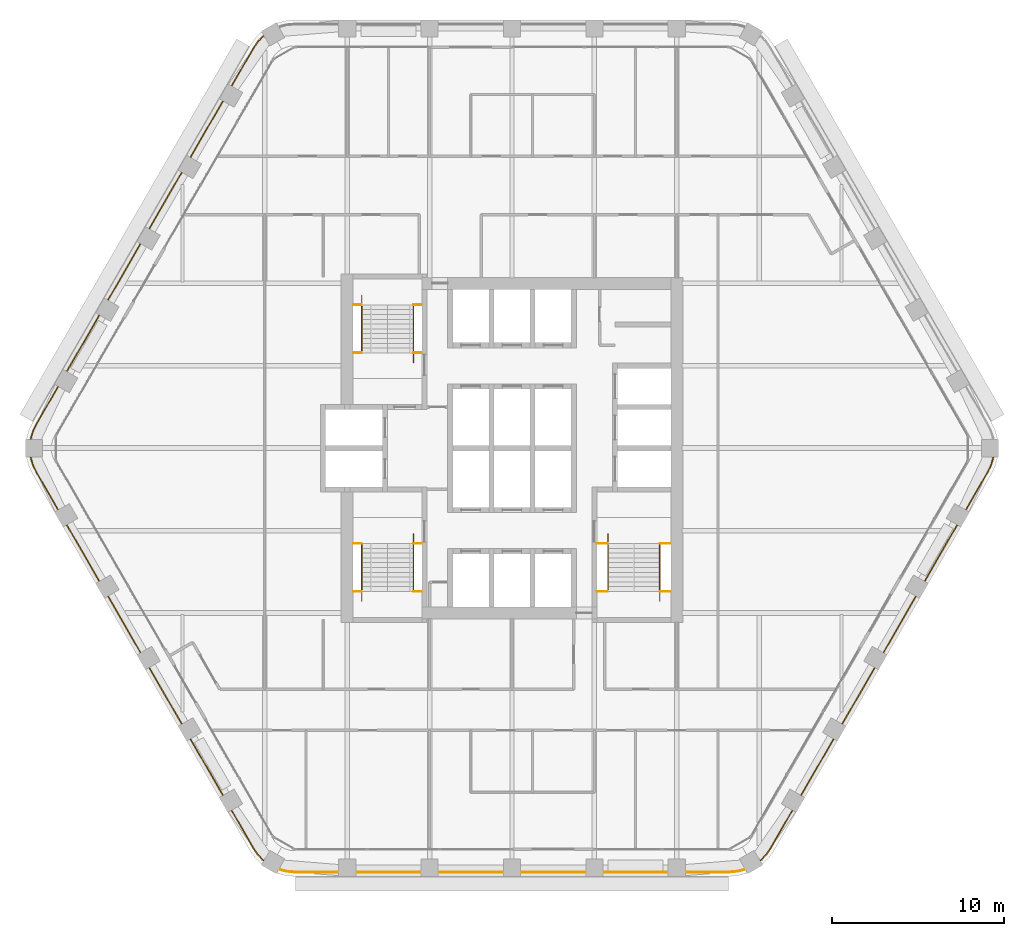
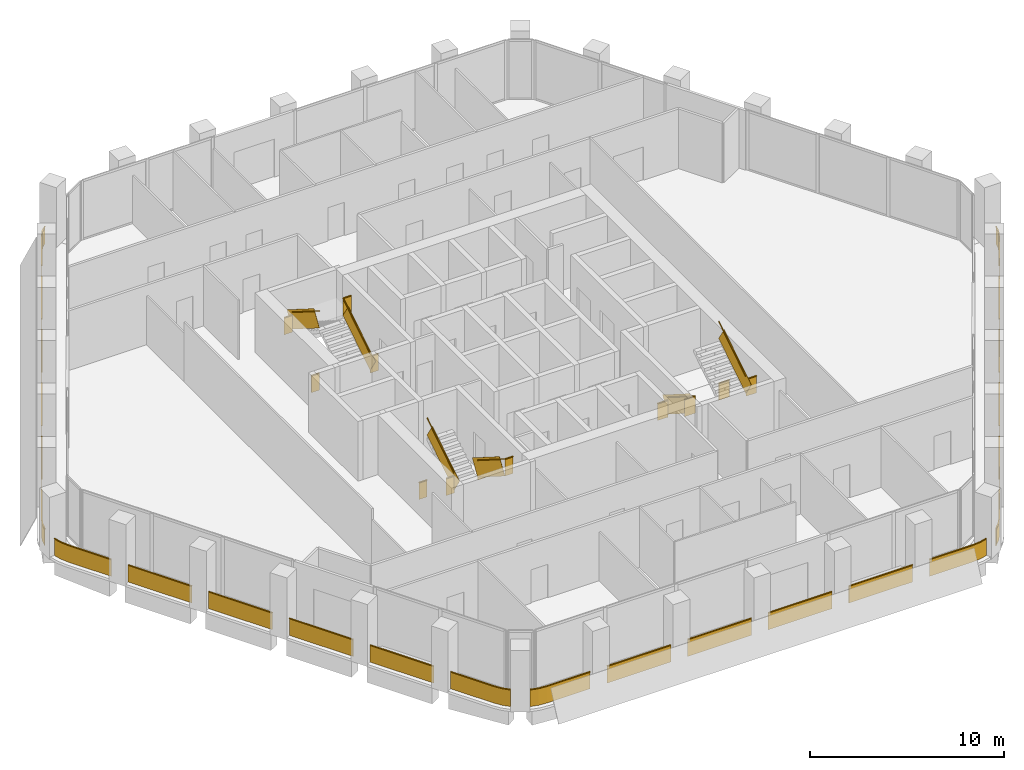
# One storey, part 14 of 15: 10 railings.
"""IFC4 building model written with IfcOpenShell, lengths in metres."""

import ifcopenshell
import ifcopenshell.guid

model = None  # the IFC model being written
_history = None  # IfcOwnerHistory: only IFC2X3 demands one
_inside = {}  # id of a spatial element -> (the spatial element, [elements in it])
_under = {}  # id of a project, library or spatial element -> (it, [spatial elements below it])
_declared = {}  # id of a project -> (the project, [libraries it declares])
_typed = {}  # id of a type object -> (the type object, [elements of that type])
_made_of = {}  # id of a material, layer set ... -> (it, [elements and type objects made of it])


def new_model(schema):
    """Start an empty IFC model of exactly this schema.

    Asked for "IFC4X3", IfcOpenShell would pick the latest addendum, in which some entities
    have other attributes; the version numbers below select the first issue.
    IFC2X3 requires an IfcOwnerHistory on every rooted entity: one is made here for all.
    """
    global model, _history
    if schema == "IFC4X3":
        model = ifcopenshell.file(schema_version=(4, 3, 0, 0))
    else:
        model = ifcopenshell.file(schema=schema)
    _inside.clear()
    _under.clear()
    _declared.clear()
    _typed.clear()
    _made_of.clear()
    _history = None
    if model.schema == "IFC2X3":
        org = make("IfcOrganization", Name="unknown")
        user = make(
            "IfcPersonAndOrganization",
            ThePerson=make("IfcPerson", FamilyName="unknown"),
            TheOrganization=org,
        )
        app = make(
            "IfcApplication",
            ApplicationDeveloper=org,
            Version="unknown",
            ApplicationFullName="unknown",
            ApplicationIdentifier="unknown",
        )
        _history = make(
            "IfcOwnerHistory",
            OwningUser=user,
            OwningApplication=app,
            ChangeAction="ADDED",
            CreationDate=0,
        )
    return model


def make(cls, **values):
    """One entity of the class cls with the attributes given. An attribute that is None is left unset."""
    return model.create_entity(
        cls, **{name: value for name, value in values.items() if value is not None}
    )


def rooted(cls, **values):
    """An entity with a GlobalId (a new one), such as an element, a storey or a relation."""
    return make(cls, GlobalId=ifcopenshell.guid.new(), OwnerHistory=_history, **values)


def si_unit(unit_type, name, prefix=None):
    """IfcSIUnit, for example si_unit("LENGTHUNIT", "METRE", prefix="MILLI")."""
    return make("IfcSIUnit", UnitType=unit_type, Prefix=prefix, Name=name)


def assignment(units):
    """IfcUnitAssignment: the units of a project."""
    return None if units is None else make("IfcUnitAssignment", Units=units)


def point(xyz):
    """IfcCartesianPoint."""
    return None if xyz is None else make("IfcCartesianPoint", Coordinates=xyz)


def direction(xyz):
    """IfcDirection."""
    return None if xyz is None else make("IfcDirection", DirectionRatios=xyz)


def frame(location, z_axis=None, x_axis=None):
    """IfcAxis2Placement3D, a coordinate frame: its origin and axes. An axis left out is left unset."""
    return make(
        "IfcAxis2Placement3D",
        Location=point(location),
        Axis=direction(z_axis),
        RefDirection=direction(x_axis),
    )


def frame_2d(location, x_axis=None):
    """IfcAxis2Placement2D, a coordinate frame in the plane: its origin and x axis."""
    return make(
        "IfcAxis2Placement2D", Location=point(location), RefDirection=direction(x_axis)
    )


def origin():
    """The frame at (0, 0, 0) with its axes left unset."""
    return frame((0.0, 0.0, 0.0))


def origin_2d():
    """The frame at (0, 0) in the plane with its x axis left unset."""
    return frame_2d((0.0, 0.0))


def place(relative_to, where):
    """IfcLocalPlacement: puts the frame where relative to a parent placement (None: the world)."""
    return make(
        "IfcLocalPlacement", PlacementRelTo=relative_to, RelativePlacement=where
    )


def context(
    kind, dimensions, precision=None, world=None, true_north=None, identifier=None
):
    """IfcGeometricRepresentationContext, for example the 3D "Model" context."""
    return make(
        "IfcGeometricRepresentationContext",
        ContextIdentifier=identifier,
        ContextType=kind,
        CoordinateSpaceDimension=dimensions,
        Precision=precision,
        WorldCoordinateSystem=world,
        TrueNorth=true_north,
    )


def subcontext(parent, identifier, kind, view, scale=None):
    """IfcGeometricRepresentationSubContext, for example "Body" below "Model"."""
    return make(
        "IfcGeometricRepresentationSubContext",
        ContextIdentifier=identifier,
        ContextType=kind,
        ParentContext=parent,
        TargetScale=scale,
        TargetView=view,
    )


def project(units=None, contexts=None):
    """IfcProject with its units and contexts."""
    return rooted(
        "IfcProject",
        Name="project",
        RepresentationContexts=contexts,
        UnitsInContext=assignment(units),
    )


def spatial(cls, under=None, at=None, **own):
    """A site, building, storey or space (cls), placed at a placement, below another one or the project."""
    s = rooted(cls, ObjectPlacement=at, **own)
    if under is not None:
        _under.setdefault(under.id(), (under, []))[1].append(s)
    return s


def profile(cls, at=None, kind="AREA", **sizes):
    """A parametric profile (cls). Its sizes go by their IFC names, for example OverallWidth=200.0."""
    return make(cls, ProfileType=kind, Position=at, **sizes)


def rectangle(**sizes):
    """IfcRectangleProfileDef."""
    return profile("IfcRectangleProfileDef", **sizes)


def extrude(swept, where, along, depth):
    """IfcExtrudedAreaSolid: the profile swept, set in the frame where, extruded along a direction by depth."""
    return make(
        "IfcExtrudedAreaSolid",
        SweptArea=swept,
        Position=where,
        ExtrudedDirection=direction(along),
        Depth=depth,
    )


def shape(context_of_items, identifier, shape_type, items):
    """IfcShapeRepresentation: the items that make up one representation, for example the "Body"."""
    return make(
        "IfcShapeRepresentation",
        ContextOfItems=context_of_items,
        RepresentationIdentifier=identifier,
        RepresentationType=shape_type,
        Items=items,
    )


def material(Name=None, Category=None):
    """IfcMaterial."""
    return make("IfcMaterial", Name=Name, Category=Category)


def made_of(thing, what):
    """Note that an element or type object is made of a material, layer set ...; save() writes the relation."""
    if what is not None:
        _made_of.setdefault(what.id(), (what, []))[1].append(thing)
    return thing


def type_object(cls, material=None, **own):
    """A type object (cls), such as IfcWallType, which elements share."""
    return made_of(rooted(cls, **own), material)


def element(
    cls,
    number,
    at=None,
    inside=None,
    cuts=None,
    type_object=None,
    material=None,
    context=None,
    identifier="Body",
    shape_type=None,
    held_by="IfcProductDefinitionShape",
    body=None,
    shapes=None,
    **own,
):
    """One element of the class cls, such as IfcWall. Its Tag is "e" and its number.

    at: its placement. inside: the storey or other place that contains it. cuts: it is an
    opening in that element (IfcRelVoidsElement). A single representation is given by context,
    identifier, shape_type and body (its items); several are given by shapes. held_by: the class
    of the entity that holds the representations. save() writes the other relations.
    """
    e = rooted(cls, Tag="e%d" % number, ObjectPlacement=at, **own)
    if body is not None:
        shapes = [shape(context, identifier, shape_type, body)]
    if shapes is not None:
        e.Representation = make(held_by, Representations=shapes)
    if inside is not None:
        _inside.setdefault(inside.id(), (inside, []))[1].append(e)
    if cuts is not None:
        rooted(
            "IfcRelVoidsElement", RelatingBuildingElement=cuts, RelatedOpeningElement=e
        )
    if type_object is not None:
        _typed.setdefault(type_object.id(), (type_object, []))[1].append(e)
    return made_of(e, material)


def aggregate(whole, parts):
    """IfcRelAggregates: a whole, such as a stair, and the parts it consists of."""
    return rooted("IfcRelAggregates", RelatingObject=whole, RelatedObjects=parts)


def save(model, path):
    """Write the relations noted so far, then the file.

    IfcRelAggregates (storeys below a building ...), IfcRelContainedInSpatialStructure (elements
    in a storey), IfcRelDefinesByType, IfcRelAssociatesMaterial and IfcRelDeclares: one each for
    every whole, place, type object, material and project.
    """
    for whole, parts in _under.values():
        aggregate(whole, parts)
    for where, things in _inside.values():
        rooted(
            "IfcRelContainedInSpatialStructure",
            RelatedElements=things,
            RelatingStructure=where,
        )
    for kind, things in _typed.values():
        rooted("IfcRelDefinesByType", RelatedObjects=things, RelatingType=kind)
    for what, things in _made_of.values():
        rooted("IfcRelAssociatesMaterial", RelatedObjects=things, RelatingMaterial=what)
    for by, libraries in _declared.values():
        rooted("IfcRelDeclares", RelatingContext=by, RelatedDefinitions=libraries)
    model.write(path)


model = new_model("IFC4")

# Units and contexts
model_context = context("Model", 3, precision=1e-05, world=origin(), true_north=direction((0.0, 1.0)))
body_context = subcontext(model_context, "Body", "Model", "MODEL_VIEW")
ifc_project = project(units=[si_unit("LENGTHUNIT", "METRE"), si_unit("AREAUNIT", "SQUARE_METRE"), si_unit("VOLUMEUNIT", "CUBIC_METRE"), si_unit("PLANEANGLEUNIT", "RADIAN"), si_unit("MASSUNIT", "GRAM", prefix="KILO")], contexts=[model_context])

# Site, building, storey
site_placement = place(None, origin())
site = spatial("IfcSite", under=ifc_project, at=site_placement, CompositionType="ELEMENT")
building_placement = place(site_placement, origin())
building = spatial("IfcBuilding", under=site, at=building_placement, Name="Kolab Exchange Tower", CompositionType="ELEMENT")
storey_placement = place(building_placement, frame((0.0, 0.0, 173.89990234375)))
storey = spatial("IfcBuildingStorey", under=building, at=storey_placement, Name="L36", CompositionType="ELEMENT", Elevation=173.89990234375)

# Railings
ifc_material_1 = material(Name="Stainless steel 316", Category="steel")
railing_type_1 = type_object("IfcRailingType", Name="GUARD 1100", PredefinedType="GUARDRAIL", material=ifc_material_1)
railing_1_placement = place(storey_placement, frame((-9.25, 5.550048828125, 0.0)))
element("IfcRailing", 1, at=railing_1_placement, inside=storey, type_object=railing_type_1, Name="Guard ST1", PredefinedType="GUARDRAIL", context=body_context, shape_type="SweptSolid", body=[
    extrude(rectangle(XDim=0.05, YDim=0.05, at=origin_2d()), frame((0.0, 0.0, 1.0751953125), z_axis=(1.0, 0.0, 0.0), x_axis=(0.0, 1.0, 0.0)), (0.0, 0.0, 1.0), 0.489990234375),
    extrude(rectangle(XDim=0.012, YDim=1.05009765625, at=frame_2d((0.0, 0.525146484375))), frame((0.0, 0.0, 0.0), z_axis=(1.0, 0.0, 0.0), x_axis=(0.0, 1.0, 0.0)), (0.0, 0.0, 1.0), 0.489990234375),
    extrude(rectangle(XDim=0.05, YDim=0.05, at=origin_2d()), frame((3.510009765625, 0.0, 1.0751953125), z_axis=(1.0, 0.0, 0.0), x_axis=(0.0, 1.0, 0.0)), (0.0, 0.0, 1.0), 0.489990234375),
    extrude(rectangle(XDim=0.012, YDim=1.05009765625, at=frame_2d((0.0, 0.525146484375))), frame((3.510009765625, 0.0, 0.0), z_axis=(1.0, 0.0, 0.0), x_axis=(0.0, 1.0, 0.0)), (0.0, 0.0, 1.0), 0.489990234375),
    extrude(rectangle(XDim=0.05, YDim=0.05, at=origin_2d()), frame((0.0, 2.800048828125, 3.025390625), z_axis=(1.0, 0.0, 0.0), x_axis=(0.0, 1.0, 0.0)), (0.0, 0.0, 1.0), 0.489990234375),
    extrude(rectangle(XDim=0.012, YDim=1.05009765625, at=frame_2d((0.0, 0.525146484375))), frame((0.0, 2.800048828125, 1.9501953125), z_axis=(1.0, 0.0, 0.0), x_axis=(0.0, 1.0, 0.0)), (0.0, 0.0, 1.0), 0.489990234375),
    extrude(rectangle(XDim=0.05, YDim=0.05, at=origin_2d()), frame((3.510009765625, 2.800048828125, 3.025390625), z_axis=(1.0, 0.0, 0.0), x_axis=(0.0, 1.0, 0.0)), (0.0, 0.0, 1.0), 0.489990234375),
    extrude(rectangle(XDim=0.012, YDim=1.05009765625, at=frame_2d((0.0, 0.525146484375))), frame((3.510009765625, 2.800048828125, 1.9501953125), z_axis=(1.0, 0.0, 0.0), x_axis=(0.0, 1.0, 0.0)), (0.0, 0.0, 1.0), 0.489990234375),
])
railing_2_placement = place(storey_placement, frame((-5.739990234375, 5.550048828125, 0.177490234375)))
element("IfcRailing", 2, at=railing_2_placement, inside=storey, type_object=railing_type_1, Name="Handrail guard ST1", PredefinedType="GUARDRAIL", context=body_context, shape_type="SweptSolid", body=[
    extrude(rectangle(XDim=0.05, YDim=0.05, at=origin_2d()), frame((0.0, 0.0, 1.0751953125), z_axis=(0.0, 0.844908973607, 0.534910110503), x_axis=(-1.0, 0.0, 0.0)), (0.0, 0.0, 1.0), 3.31396484375),
    extrude(rectangle(XDim=0.012, YDim=1.05009765625, at=frame_2d((0.0, 0.525146484375))), frame((0.0, 0.0, 0.0), z_axis=(0.0, 0.844908973607, 0.534910110503), x_axis=(-1.0, 0.0, 0.0)), (0.0, 0.0, 1.0), 3.31396484375),
    extrude(rectangle(XDim=0.05, YDim=0.05, at=origin_2d()), frame((-3.02001953125, 2.800048828125, 3.025146484375), z_axis=(0.0, -0.844908973607, 0.534910110503), x_axis=(1.0, 0.0, 0.0)), (0.0, 0.0, 1.0), 3.31396484375),
    extrude(rectangle(XDim=0.012, YDim=1.05009765625, at=frame_2d((0.0, 0.525146484375))), frame((-3.02001953125, 2.800048828125, 1.949951171875), z_axis=(0.0, -0.844908973607, 0.534910110503), x_axis=(1.0, 0.0, 0.0)), (0.0, 0.0, 1.0), 3.31396484375),
])
railing_3_placement = place(storey_placement, frame((-9.25, -5.550048828125, 0.0)))
element("IfcRailing", 3, at=railing_3_placement, inside=storey, type_object=railing_type_1, Name="Guard ST3", PredefinedType="GUARDRAIL", context=body_context, shape_type="SweptSolid", body=[
    extrude(rectangle(XDim=0.05, YDim=0.05, at=origin_2d()), frame((0.0, 0.0, 1.0751953125), z_axis=(1.0, 0.0, 0.0), x_axis=(0.0, 1.0, 0.0)), (0.0, 0.0, 1.0), 0.489990234375),
    extrude(rectangle(XDim=0.012, YDim=1.05009765625, at=frame_2d((0.0, 0.525146484375))), frame((0.0, 0.0, 0.0), z_axis=(1.0, 0.0, 0.0), x_axis=(0.0, 1.0, 0.0)), (0.0, 0.0, 1.0), 0.489990234375),
    extrude(rectangle(XDim=0.05, YDim=0.05, at=origin_2d()), frame((3.510009765625, 0.0, 1.0751953125), z_axis=(1.0, 0.0, 0.0), x_axis=(0.0, 1.0, 0.0)), (0.0, 0.0, 1.0), 0.489990234375),
    extrude(rectangle(XDim=0.012, YDim=1.05009765625, at=frame_2d((0.0, 0.525146484375))), frame((3.510009765625, 0.0, 0.0), z_axis=(1.0, 0.0, 0.0), x_axis=(0.0, 1.0, 0.0)), (0.0, 0.0, 1.0), 0.489990234375),
    extrude(rectangle(XDim=0.05, YDim=0.05, at=origin_2d()), frame((0.0, -2.800048828125, 3.025390625), z_axis=(1.0, 0.0, 0.0), x_axis=(0.0, 1.0, 0.0)), (0.0, 0.0, 1.0), 0.489990234375),
    extrude(rectangle(XDim=0.012, YDim=1.05009765625, at=frame_2d((0.0, 0.525146484375))), frame((0.0, -2.800048828125, 1.9501953125), z_axis=(1.0, 0.0, 0.0), x_axis=(0.0, 1.0, 0.0)), (0.0, 0.0, 1.0), 0.489990234375),
    extrude(rectangle(XDim=0.05, YDim=0.05, at=origin_2d()), frame((3.510009765625, -2.800048828125, 3.025390625), z_axis=(1.0, 0.0, 0.0), x_axis=(0.0, 1.0, 0.0)), (0.0, 0.0, 1.0), 0.489990234375),
    extrude(rectangle(XDim=0.012, YDim=1.05009765625, at=frame_2d((0.0, 0.525146484375))), frame((3.510009765625, -2.800048828125, 1.9501953125), z_axis=(1.0, 0.0, 0.0), x_axis=(0.0, 1.0, 0.0)), (0.0, 0.0, 1.0), 0.489990234375),
])
railing_4_placement = place(storey_placement, frame((-5.739990234375, -5.550048828125, 0.177490234375)))
element("IfcRailing", 4, at=railing_4_placement, inside=storey, type_object=railing_type_1, Name="Handrail guard ST3", PredefinedType="GUARDRAIL", context=body_context, shape_type="SweptSolid", body=[
    extrude(rectangle(XDim=0.05, YDim=0.05, at=origin_2d()), frame((0.0, 0.0, 1.0751953125), z_axis=(0.0, -0.844908973607, 0.534910110503), x_axis=(1.0, 0.0, 0.0)), (0.0, 0.0, 1.0), 3.31396484375),
    extrude(rectangle(XDim=0.012, YDim=1.05009765625, at=frame_2d((0.0, 0.525146484375))), frame((0.0, 0.0, 0.0), z_axis=(0.0, -0.844908973607, 0.534910110503), x_axis=(1.0, 0.0, 0.0)), (0.0, 0.0, 1.0), 3.31396484375),
    extrude(rectangle(XDim=0.05, YDim=0.05, at=origin_2d()), frame((-3.02001953125, -2.800048828125, 3.025146484375), z_axis=(0.0, 0.844908973607, 0.534910110503), x_axis=(-1.0, 0.0, 0.0)), (0.0, 0.0, 1.0), 3.31396484375),
    extrude(rectangle(XDim=0.012, YDim=1.05009765625, at=frame_2d((0.0, 0.525146484375))), frame((-3.02001953125, -2.800048828125, 1.949951171875), z_axis=(0.0, 0.844908973607, 0.534910110503), x_axis=(-1.0, 0.0, 0.0)), (0.0, 0.0, 1.0), 3.31396484375),
])
railing_5_placement = place(storey_placement, frame((4.949951171875, -5.550048828125, 0.0)))
element("IfcRailing", 5, at=railing_5_placement, inside=storey, type_object=railing_type_1, Name="Guard ST2", PredefinedType="GUARDRAIL", context=body_context, shape_type="SweptSolid", body=[
    extrude(rectangle(XDim=0.05, YDim=0.05, at=origin_2d()), frame((0.0, 0.0, 1.0751953125), z_axis=(1.0, 0.0, 0.0), x_axis=(0.0, 1.0, 0.0)), (0.0, 0.0, 1.0), 0.64013671875),
    extrude(rectangle(XDim=0.012, YDim=1.05009765625, at=frame_2d((0.0, 0.525146484375))), frame((0.0, 0.0, 0.0), z_axis=(1.0, 0.0, 0.0), x_axis=(0.0, 1.0, 0.0)), (0.0, 0.0, 1.0), 0.64013671875),
    extrude(rectangle(XDim=0.05, YDim=0.05, at=origin_2d()), frame((3.66015625, 0.0, 1.0751953125), z_axis=(1.0, 0.0, 0.0), x_axis=(0.0, 1.0, 0.0)), (0.0, 0.0, 1.0), 0.639892578125),
    extrude(rectangle(XDim=0.012, YDim=1.05009765625, at=frame_2d((0.0, 0.525146484375))), frame((3.66015625, 0.0, 0.0), z_axis=(1.0, 0.0, 0.0), x_axis=(0.0, 1.0, 0.0)), (0.0, 0.0, 1.0), 0.639892578125),
    extrude(rectangle(XDim=0.05, YDim=0.05, at=origin_2d()), frame((0.0, -2.800048828125, 3.025390625), z_axis=(1.0, 0.0, 0.0), x_axis=(0.0, 1.0, 0.0)), (0.0, 0.0, 1.0), 0.64013671875),
    extrude(rectangle(XDim=0.012, YDim=1.05009765625, at=frame_2d((0.0, 0.525146484375))), frame((0.0, -2.800048828125, 1.9501953125), z_axis=(1.0, 0.0, 0.0), x_axis=(0.0, 1.0, 0.0)), (0.0, 0.0, 1.0), 0.64013671875),
    extrude(rectangle(XDim=0.05, YDim=0.05, at=origin_2d()), frame((3.66015625, -2.800048828125, 3.025390625), z_axis=(1.0, 0.0, 0.0), x_axis=(0.0, 1.0, 0.0)), (0.0, 0.0, 1.0), 0.639892578125),
    extrude(rectangle(XDim=0.012, YDim=1.05009765625, at=frame_2d((0.0, 0.525146484375))), frame((3.66015625, -2.800048828125, 1.9501953125), z_axis=(1.0, 0.0, 0.0), x_axis=(0.0, 1.0, 0.0)), (0.0, 0.0, 1.0), 0.639892578125),
])
railing_6_placement = place(storey_placement, frame((5.590087890625, -5.550048828125, 0.177490234375)))
element("IfcRailing", 6, at=railing_6_placement, inside=storey, type_object=railing_type_1, Name="Handrail guard ST2", PredefinedType="GUARDRAIL", context=body_context, shape_type="SweptSolid", body=[
    extrude(rectangle(XDim=0.05, YDim=0.05, at=origin_2d()), frame((0.0, 0.0, 1.0751953125), z_axis=(0.0, -0.844908973607, 0.534910110503), x_axis=(1.0, 0.0, 0.0)), (0.0, 0.0, 1.0), 3.31396484375),
    extrude(rectangle(XDim=0.012, YDim=1.05009765625, at=frame_2d((0.0, 0.525146484375))), frame((0.0, 0.0, 0.0), z_axis=(0.0, -0.844908973607, 0.534910110503), x_axis=(1.0, 0.0, 0.0)), (0.0, 0.0, 1.0), 3.31396484375),
    extrude(rectangle(XDim=0.05, YDim=0.05, at=origin_2d()), frame((3.02001953125, -2.800048828125, 3.025146484375), z_axis=(0.0, 0.844908973607, 0.534910110503), x_axis=(-1.0, 0.0, 0.0)), (0.0, 0.0, 1.0), 3.31396484375),
    extrude(rectangle(XDim=0.012, YDim=1.05009765625, at=frame_2d((0.0, 0.525146484375))), frame((3.02001953125, -2.800048828125, 1.949951171875), z_axis=(0.0, 0.844908973607, 0.534910110503), x_axis=(-1.0, 0.0, 0.0)), (0.0, 0.0, 1.0), 3.31396484375),
])
ifc_material_2 = material(Name="Steel S235", Category="steel")
railing_type_2 = type_object("IfcRailingType", Name="GUARD 1100 GLASS BALUSTRADE AND STEEL TOP RAIL", PredefinedType="GUARDRAIL", material=ifc_material_2)
railing_7_placement = place(storey_placement, frame((14.4501953125, -24.033447265625, 0.0)))
element("IfcRailing", 7, at=railing_7_placement, inside=storey, type_object=railing_type_2, Name="Guard", PredefinedType="GUARDRAIL", context=body_context, shape_type="SweptSolid", body=[
    extrude(rectangle(XDim=0.05, YDim=0.05, at=origin_2d()), frame((0.0, 0.0, 1.0751953125), z_axis=(0.70737286085, 0.706840601361, 0.0), x_axis=(-0.706840601361, 0.70737286085, 0.0)), (0.0, 0.0, 1.0), 0.458740234375),
    extrude(rectangle(XDim=0.012, YDim=1.05009765625, at=frame_2d((0.0, 0.525146484375))), frame((0.0, 0.0, 0.0), z_axis=(0.70737286085, 0.706840601361, 0.0), x_axis=(-0.706840601361, 0.70737286085, 0.0)), (0.0, 0.0, 1.0), 0.458740234375),
    extrude(rectangle(XDim=0.05, YDim=0.05, at=origin_2d()), frame((0.324462890625, 0.32421875, 1.0751953125), z_axis=(0.573599091554, 0.819136180478, 0.0), x_axis=(-0.819136180478, 0.573599091554, 0.0)), (0.0, 0.0, 1.0), 0.479248046875),
    extrude(rectangle(XDim=0.012, YDim=1.05009765625, at=frame_2d((0.0, 0.525146484375))), frame((0.324462890625, 0.32421875, 0.0), z_axis=(0.573599091554, 0.819136180478, 0.0), x_axis=(-0.819136180478, 0.573599091554, 0.0)), (0.0, 0.0, 1.0), 0.479248046875),
    extrude(rectangle(XDim=0.05, YDim=0.05, at=origin_2d()), frame((0.599365234375, 0.716796875, 1.0751953125), z_axis=(0.499952873616, 0.866052610505, 0.0), x_axis=(-0.866052610505, 0.499952873616, 0.0)), (0.0, 0.0, 1.0), 2.568115234375),
    extrude(rectangle(XDim=0.012, YDim=1.05009765625, at=frame_2d((0.0, 0.525146484375))), frame((0.599365234375, 0.716796875, 0.0), z_axis=(0.499952873616, 0.866052610505, 0.0), x_axis=(-0.866052610505, 0.499952873616, 0.0)), (0.0, 0.0, 1.0), 2.568115234375),
    extrude(rectangle(XDim=0.05, YDim=0.05, at=origin_2d()), frame((2.38330078125, 3.806884765625, 1.0751953125), z_axis=(0.499994975061, 0.866028304915, 0.0), x_axis=(-0.866028304915, 0.499994975061, 0.0)), (0.0, 0.0, 1.0), 3.7998046875),
    extrude(rectangle(XDim=0.012, YDim=1.05009765625, at=frame_2d((0.0, 0.525146484375))), frame((2.38330078125, 3.806884765625, 0.0), z_axis=(0.499994975061, 0.866028304915, 0.0), x_axis=(-0.866028304915, 0.499994975061, 0.0)), (0.0, 0.0, 1.0), 3.7998046875),
    extrude(rectangle(XDim=0.05, YDim=0.05, at=origin_2d()), frame((4.783203125, 7.9638671875, 1.0751953125), z_axis=(0.500043160704, 0.866000483506, 0.0), x_axis=(-0.866000483506, 0.500043160704, 0.0)), (0.0, 0.0, 1.0), 3.800048828125),
    extrude(rectangle(XDim=0.012, YDim=1.05009765625, at=frame_2d((0.0, 0.525146484375))), frame((4.783203125, 7.9638671875, 0.0), z_axis=(0.500043160704, 0.866000483506, 0.0), x_axis=(-0.866000483506, 0.500043160704, 0.0)), (0.0, 0.0, 1.0), 3.800048828125),
    extrude(rectangle(XDim=0.05, YDim=0.05, at=origin_2d()), frame((7.183349609375, 12.12060546875, 1.0751953125), z_axis=(0.499967155389, 0.866044365799, 0.0), x_axis=(-0.866044365799, 0.499967155389, 0.0)), (0.0, 0.0, 1.0), 3.800048828125),
    extrude(rectangle(XDim=0.012, YDim=1.05009765625, at=frame_2d((0.0, 0.525146484375))), frame((7.183349609375, 12.12060546875, 0.0), z_axis=(0.499967155389, 0.866044365799, 0.0), x_axis=(-0.866044365799, 0.499967155389, 0.0)), (0.0, 0.0, 1.0), 3.800048828125),
    extrude(rectangle(XDim=0.05, YDim=0.05, at=origin_2d()), frame((9.583251953125, 16.277587890625, 1.0751953125), z_axis=(0.500015340139, 0.86601654697, 0.0), x_axis=(-0.86601654697, 0.500015340139, 0.0)), (0.0, 0.0, 1.0), 3.80029296875),
    extrude(rectangle(XDim=0.012, YDim=1.05009765625, at=frame_2d((0.0, 0.525146484375))), frame((9.583251953125, 16.277587890625, 0.0), z_axis=(0.500015340139, 0.86601654697, 0.0), x_axis=(-0.86601654697, 0.500015340139, 0.0)), (0.0, 0.0, 1.0), 3.80029296875),
    extrude(rectangle(XDim=0.05, YDim=0.05, at=origin_2d()), frame((11.9833984375, 20.4345703125, 1.0751953125), z_axis=(0.499994038704, 0.866028845513, 0.0), x_axis=(-0.866028845513, 0.499994038704, 0.0)), (0.0, 0.0, 1.0), 2.56787109375),
    extrude(rectangle(XDim=0.012, YDim=1.05009765625, at=frame_2d((0.0, 0.525146484375))), frame((11.9833984375, 20.4345703125, 0.0), z_axis=(0.499994038704, 0.866028845513, 0.0), x_axis=(-0.866028845513, 0.499994038704, 0.0)), (0.0, 0.0, 1.0), 2.56787109375),
    extrude(rectangle(XDim=0.05, YDim=0.05, at=origin_2d()), frame((13.267333984375, 22.658447265625, 1.0751953125), z_axis=(0.422801802984, 0.906222177721, 0.0), x_axis=(-0.906222177721, 0.422801802984, 0.0)), (0.0, 0.0, 1.0), 0.479248046875),
    extrude(rectangle(XDim=0.012, YDim=1.05009765625, at=frame_2d((0.0, 0.525146484375))), frame((13.267333984375, 22.658447265625, 0.0), z_axis=(0.422801802984, 0.906222177721, 0.0), x_axis=(-0.906222177721, 0.422801802984, 0.0)), (0.0, 0.0, 1.0), 0.479248046875),
    extrude(rectangle(XDim=0.05, YDim=0.05, at=origin_2d()), frame((13.469970703125, 23.0927734375, 1.0751953125), z_axis=(0.25865627591, 0.965969425465, 0.0), x_axis=(-0.965969425465, 0.25865627591, 0.0)), (0.0, 0.0, 1.0), 0.458740234375),
    extrude(rectangle(XDim=0.012, YDim=1.05009765625, at=frame_2d((0.0, 0.525146484375))), frame((13.469970703125, 23.0927734375, 0.0), z_axis=(0.25865627591, 0.965969425465, 0.0), x_axis=(-0.965969425465, 0.25865627591, 0.0)), (0.0, 0.0, 1.0), 0.458740234375),
])
railing_8_placement = place(storey_placement, frame((-13.588623046875, -24.531005859375, 0.0)))
element("IfcRailing", 8, at=railing_8_placement, inside=storey, type_object=railing_type_2, Name="Guard", PredefinedType="GUARDRAIL", context=body_context, shape_type="SweptSolid", body=[
    extrude(rectangle(XDim=0.05, YDim=0.05, at=origin_2d()), frame((0.0, 0.0, 1.0751953125), z_axis=(0.965969425465, -0.25865627591, 0.0), x_axis=(0.25865627591, 0.965969425465, 0.0)), (0.0, 0.0, 1.0), 0.458740234375),
    extrude(rectangle(XDim=0.012, YDim=1.05009765625, at=frame_2d((0.0, 0.525146484375))), frame((0.0, 0.0, 0.0), z_axis=(0.965969425465, -0.25865627591, 0.0), x_axis=(0.25865627591, 0.965969425465, 0.0)), (0.0, 0.0, 1.0), 0.458740234375),
    extrude(rectangle(XDim=0.05, YDim=0.05, at=origin_2d()), frame((0.443115234375, -0.11865234375, 1.0751953125), z_axis=(0.996156034798, -0.087596542937, 0.0), x_axis=(0.087596542937, 0.996156034798, 0.0)), (0.0, 0.0, 1.0), 0.4794921875),
    extrude(rectangle(XDim=0.012, YDim=1.05009765625, at=frame_2d((0.0, 0.525146484375))), frame((0.443115234375, -0.11865234375, 0.0), z_axis=(0.996156034798, -0.087596542937, 0.0), x_axis=(0.087596542937, 0.996156034798, 0.0)), (0.0, 0.0, 1.0), 0.4794921875),
    extrude(rectangle(XDim=0.05, YDim=0.05, at=origin_2d()), frame((0.920654296875, -0.16064453125, 1.0751953125), z_axis=(1.0, 0.0, 0.0), x_axis=(0.0, 1.0, 0.0)), (0.0, 0.0, 1.0), 2.56787109375),
    extrude(rectangle(XDim=0.012, YDim=1.05009765625, at=frame_2d((0.0, 0.525146484375))), frame((0.920654296875, -0.16064453125, 0.0), z_axis=(1.0, 0.0, 0.0), x_axis=(0.0, 1.0, 0.0)), (0.0, 0.0, 1.0), 2.56787109375),
    extrude(rectangle(XDim=0.05, YDim=0.05, at=origin_2d()), frame((4.488525390625, -0.16064453125, 1.0751953125), z_axis=(1.0, 0.0, 0.0), x_axis=(0.0, 1.0, 0.0)), (0.0, 0.0, 1.0), 3.800048828125),
    extrude(rectangle(XDim=0.012, YDim=1.05009765625, at=frame_2d((0.0, 0.525146484375))), frame((4.488525390625, -0.16064453125, 0.0), z_axis=(1.0, 0.0, 0.0), x_axis=(0.0, 1.0, 0.0)), (0.0, 0.0, 1.0), 3.800048828125),
    extrude(rectangle(XDim=0.05, YDim=0.05, at=origin_2d()), frame((9.28857421875, -0.16064453125, 1.0751953125), z_axis=(1.0, 0.0, 0.0), x_axis=(0.0, 1.0, 0.0)), (0.0, 0.0, 1.0), 3.800048828125),
    extrude(rectangle(XDim=0.012, YDim=1.05009765625, at=frame_2d((0.0, 0.525146484375))), frame((9.28857421875, -0.16064453125, 0.0), z_axis=(1.0, 0.0, 0.0), x_axis=(0.0, 1.0, 0.0)), (0.0, 0.0, 1.0), 3.800048828125),
    extrude(rectangle(XDim=0.05, YDim=0.05, at=origin_2d()), frame((14.088623046875, -0.16064453125, 1.0751953125), z_axis=(1.0, 0.0, 0.0), x_axis=(0.0, 1.0, 0.0)), (0.0, 0.0, 1.0), 3.800048828125),
    extrude(rectangle(XDim=0.012, YDim=1.05009765625, at=frame_2d((0.0, 0.525146484375))), frame((14.088623046875, -0.16064453125, 0.0), z_axis=(1.0, 0.0, 0.0), x_axis=(0.0, 1.0, 0.0)), (0.0, 0.0, 1.0), 3.800048828125),
    extrude(rectangle(XDim=0.05, YDim=0.05, at=origin_2d()), frame((18.888671875, -0.16064453125, 1.0751953125), z_axis=(1.0, 0.0, 0.0), x_axis=(0.0, 1.0, 0.0)), (0.0, 0.0, 1.0), 3.800048828125),
    extrude(rectangle(XDim=0.012, YDim=1.05009765625, at=frame_2d((0.0, 0.525146484375))), frame((18.888671875, -0.16064453125, 0.0), z_axis=(1.0, 0.0, 0.0), x_axis=(0.0, 1.0, 0.0)), (0.0, 0.0, 1.0), 3.800048828125),
    extrude(rectangle(XDim=0.05, YDim=0.05, at=origin_2d()), frame((23.688720703125, -0.16064453125, 1.0751953125), z_axis=(1.0, 0.0, 0.0), x_axis=(0.0, 1.0, 0.0)), (0.0, 0.0, 1.0), 2.56787109375),
    extrude(rectangle(XDim=0.012, YDim=1.05009765625, at=frame_2d((0.0, 0.525146484375))), frame((23.688720703125, -0.16064453125, 0.0), z_axis=(1.0, 0.0, 0.0), x_axis=(0.0, 1.0, 0.0)), (0.0, 0.0, 1.0), 2.56787109375),
    extrude(rectangle(XDim=0.05, YDim=0.05, at=origin_2d()), frame((26.256591796875, -0.16064453125, 1.0751953125), z_axis=(0.996156034798, 0.087596542937, 0.0), x_axis=(-0.087596542937, 0.996156034798, 0.0)), (0.0, 0.0, 1.0), 0.4794921875),
    extrude(rectangle(XDim=0.012, YDim=1.05009765625, at=frame_2d((0.0, 0.525146484375))), frame((26.256591796875, -0.16064453125, 0.0), z_axis=(0.996156034798, 0.087596542937, 0.0), x_axis=(-0.087596542937, 0.996156034798, 0.0)), (0.0, 0.0, 1.0), 0.4794921875),
    extrude(rectangle(XDim=0.05, YDim=0.05, at=origin_2d()), frame((26.734130859375, -0.11865234375, 1.0751953125), z_axis=(0.965969425465, 0.25865627591, 0.0), x_axis=(-0.25865627591, 0.965969425465, 0.0)), (0.0, 0.0, 1.0), 0.458740234375),
    extrude(rectangle(XDim=0.012, YDim=1.05009765625, at=frame_2d((0.0, 0.525146484375))), frame((26.734130859375, -0.11865234375, 0.0), z_axis=(0.965969425465, 0.25865627591, 0.0), x_axis=(-0.25865627591, 0.965969425465, 0.0)), (0.0, 0.0, 1.0), 0.458740234375),
])
railing_9_placement = place(storey_placement, frame((-28.038818359375, -0.49755859375, 0.0)))
element("IfcRailing", 9, at=railing_9_placement, inside=storey, type_object=railing_type_2, Name="Guard", PredefinedType="GUARDRAIL", context=body_context, shape_type="SweptSolid", body=[
    extrude(rectangle(XDim=0.05, YDim=0.05, at=origin_2d()), frame((0.0, 0.0, 1.0751953125), z_axis=(0.25865627591, -0.965969425465, 0.0), x_axis=(0.965969425465, 0.25865627591, 0.0)), (0.0, 0.0, 1.0), 0.458740234375),
    extrude(rectangle(XDim=0.012, YDim=1.05009765625, at=frame_2d((0.0, 0.525146484375))), frame((0.0, 0.0, 0.0), z_axis=(0.25865627591, -0.965969425465, 0.0), x_axis=(0.965969425465, 0.25865627591, 0.0)), (0.0, 0.0, 1.0), 0.458740234375),
    extrude(rectangle(XDim=0.05, YDim=0.05, at=origin_2d()), frame((0.11865234375, -0.443115234375, 1.0751953125), z_axis=(0.422801802984, -0.906222177721, 0.0), x_axis=(0.906222177721, 0.422801802984, 0.0)), (0.0, 0.0, 1.0), 0.479248046875),
    extrude(rectangle(XDim=0.012, YDim=1.05009765625, at=frame_2d((0.0, 0.525146484375))), frame((0.11865234375, -0.443115234375, 0.0), z_axis=(0.422801802984, -0.906222177721, 0.0), x_axis=(0.906222177721, 0.422801802984, 0.0)), (0.0, 0.0, 1.0), 0.479248046875),
    extrude(rectangle(XDim=0.05, YDim=0.05, at=origin_2d()), frame((0.3212890625, -0.87744140625, 1.0751953125), z_axis=(0.499994038704, -0.866028845513, 0.0), x_axis=(0.866028845513, 0.499994038704, 0.0)), (0.0, 0.0, 1.0), 2.56787109375),
    extrude(rectangle(XDim=0.012, YDim=1.05009765625, at=frame_2d((0.0, 0.525146484375))), frame((0.3212890625, -0.87744140625, 0.0), z_axis=(0.499994038704, -0.866028845513, 0.0), x_axis=(0.866028845513, 0.499994038704, 0.0)), (0.0, 0.0, 1.0), 2.56787109375),
    extrude(rectangle(XDim=0.05, YDim=0.05, at=origin_2d()), frame((2.105224609375, -3.96728515625, 1.0751953125), z_axis=(0.500015340139, -0.86601654697, 0.0), x_axis=(0.86601654697, 0.500015340139, 0.0)), (0.0, 0.0, 1.0), 3.80029296875),
    extrude(rectangle(XDim=0.012, YDim=1.05009765625, at=frame_2d((0.0, 0.525146484375))), frame((2.105224609375, -3.96728515625, 0.0), z_axis=(0.500015340139, -0.86601654697, 0.0), x_axis=(0.86601654697, 0.500015340139, 0.0)), (0.0, 0.0, 1.0), 3.80029296875),
    extrude(rectangle(XDim=0.05, YDim=0.05, at=origin_2d()), frame((4.50537109375, -8.124267578125, 1.0751953125), z_axis=(0.499967155389, -0.866044365799, 0.0), x_axis=(0.866044365799, 0.499967155389, 0.0)), (0.0, 0.0, 1.0), 3.800048828125),
    extrude(rectangle(XDim=0.012, YDim=1.05009765625, at=frame_2d((0.0, 0.525146484375))), frame((4.50537109375, -8.124267578125, 0.0), z_axis=(0.499967155389, -0.866044365799, 0.0), x_axis=(0.866044365799, 0.499967155389, 0.0)), (0.0, 0.0, 1.0), 3.800048828125),
    extrude(rectangle(XDim=0.05, YDim=0.05, at=origin_2d()), frame((6.9052734375, -12.28125, 1.0751953125), z_axis=(0.500043160704, -0.866000483506, 0.0), x_axis=(0.866000483506, 0.500043160704, 0.0)), (0.0, 0.0, 1.0), 3.800048828125),
    extrude(rectangle(XDim=0.012, YDim=1.05009765625, at=frame_2d((0.0, 0.525146484375))), frame((6.9052734375, -12.28125, 0.0), z_axis=(0.500043160704, -0.866000483506, 0.0), x_axis=(0.866000483506, 0.500043160704, 0.0)), (0.0, 0.0, 1.0), 3.800048828125),
    extrude(rectangle(XDim=0.05, YDim=0.05, at=origin_2d()), frame((9.305419921875, -16.438232421875, 1.0751953125), z_axis=(0.499994975061, -0.866028304915, 0.0), x_axis=(0.866028304915, 0.499994975061, 0.0)), (0.0, 0.0, 1.0), 3.7998046875),
    extrude(rectangle(XDim=0.012, YDim=1.05009765625, at=frame_2d((0.0, 0.525146484375))), frame((9.305419921875, -16.438232421875, 0.0), z_axis=(0.499994975061, -0.866028304915, 0.0), x_axis=(0.866028304915, 0.499994975061, 0.0)), (0.0, 0.0, 1.0), 3.7998046875),
    extrude(rectangle(XDim=0.05, YDim=0.05, at=origin_2d()), frame((11.705322265625, -20.594970703125, 1.0751953125), z_axis=(0.499952873616, -0.866052610505, 0.0), x_axis=(0.866052610505, 0.499952873616, 0.0)), (0.0, 0.0, 1.0), 2.568115234375),
    extrude(rectangle(XDim=0.012, YDim=1.05009765625, at=frame_2d((0.0, 0.525146484375))), frame((11.705322265625, -20.594970703125, 0.0), z_axis=(0.499952873616, -0.866052610505, 0.0), x_axis=(0.866052610505, 0.499952873616, 0.0)), (0.0, 0.0, 1.0), 2.568115234375),
    extrude(rectangle(XDim=0.05, YDim=0.05, at=origin_2d()), frame((12.9892578125, -22.819091796875, 1.0751953125), z_axis=(0.573599091554, -0.819136180478, 0.0), x_axis=(0.819136180478, 0.573599091554, 0.0)), (0.0, 0.0, 1.0), 0.479248046875),
    extrude(rectangle(XDim=0.012, YDim=1.05009765625, at=frame_2d((0.0, 0.525146484375))), frame((12.9892578125, -22.819091796875, 0.0), z_axis=(0.573599091554, -0.819136180478, 0.0), x_axis=(0.819136180478, 0.573599091554, 0.0)), (0.0, 0.0, 1.0), 0.479248046875),
    extrude(rectangle(XDim=0.05, YDim=0.05, at=origin_2d()), frame((13.26416015625, -23.211669921875, 1.0751953125), z_axis=(0.70737286085, -0.706840601361, 0.0), x_axis=(0.706840601361, 0.70737286085, 0.0)), (0.0, 0.0, 1.0), 0.458740234375),
    extrude(rectangle(XDim=0.012, YDim=1.05009765625, at=frame_2d((0.0, 0.525146484375))), frame((13.26416015625, -23.211669921875, 0.0), z_axis=(0.70737286085, -0.706840601361, 0.0), x_axis=(0.706840601361, 0.70737286085, 0.0)), (0.0, 0.0, 1.0), 0.458740234375),
])
railing_10_placement = place(storey_placement, frame((-14.4501953125, 24.033447265625, 0.0)))
element("IfcRailing", 10, at=railing_10_placement, inside=storey, type_object=railing_type_2, Name="Guard", PredefinedType="GUARDRAIL", context=body_context, shape_type="SweptSolid", body=[
    extrude(rectangle(XDim=0.05, YDim=0.05, at=origin_2d()), frame((0.0, 0.0, 1.0751953125), z_axis=(-0.70737286085, -0.706840601361, 0.0), x_axis=(0.706840601361, -0.70737286085, 0.0)), (0.0, 0.0, 1.0), 0.458740234375),
    extrude(rectangle(XDim=0.012, YDim=1.05009765625, at=frame_2d((0.0, 0.525146484375))), frame((0.0, 0.0, 0.0), z_axis=(-0.70737286085, -0.706840601361, 0.0), x_axis=(0.706840601361, -0.70737286085, 0.0)), (0.0, 0.0, 1.0), 0.458740234375),
    extrude(rectangle(XDim=0.05, YDim=0.05, at=origin_2d()), frame((-0.324462890625, -0.32421875, 1.0751953125), z_axis=(-0.573599091554, -0.819136180478, 0.0), x_axis=(0.819136180478, -0.573599091554, 0.0)), (0.0, 0.0, 1.0), 0.479248046875),
    extrude(rectangle(XDim=0.012, YDim=1.05009765625, at=frame_2d((0.0, 0.525146484375))), frame((-0.324462890625, -0.32421875, 0.0), z_axis=(-0.573599091554, -0.819136180478, 0.0), x_axis=(0.819136180478, -0.573599091554, 0.0)), (0.0, 0.0, 1.0), 0.479248046875),
    extrude(rectangle(XDim=0.05, YDim=0.05, at=origin_2d()), frame((-0.599365234375, -0.716796875, 1.0751953125), z_axis=(-0.499952873616, -0.866052610505, 0.0), x_axis=(0.866052610505, -0.499952873616, 0.0)), (0.0, 0.0, 1.0), 2.568115234375),
    extrude(rectangle(XDim=0.012, YDim=1.05009765625, at=frame_2d((0.0, 0.525146484375))), frame((-0.599365234375, -0.716796875, 0.0), z_axis=(-0.499952873616, -0.866052610505, 0.0), x_axis=(0.866052610505, -0.499952873616, 0.0)), (0.0, 0.0, 1.0), 2.568115234375),
    extrude(rectangle(XDim=0.05, YDim=0.05, at=origin_2d()), frame((-2.38330078125, -3.806884765625, 1.0751953125), z_axis=(-0.499994975061, -0.866028304915, 0.0), x_axis=(0.866028304915, -0.499994975061, 0.0)), (0.0, 0.0, 1.0), 3.7998046875),
    extrude(rectangle(XDim=0.012, YDim=1.05009765625, at=frame_2d((0.0, 0.525146484375))), frame((-2.38330078125, -3.806884765625, 0.0), z_axis=(-0.499994975061, -0.866028304915, 0.0), x_axis=(0.866028304915, -0.499994975061, 0.0)), (0.0, 0.0, 1.0), 3.7998046875),
    extrude(rectangle(XDim=0.05, YDim=0.05, at=origin_2d()), frame((-4.783203125, -7.9638671875, 1.0751953125), z_axis=(-0.500043160704, -0.866000483506, 0.0), x_axis=(0.866000483506, -0.500043160704, 0.0)), (0.0, 0.0, 1.0), 3.800048828125),
    extrude(rectangle(XDim=0.012, YDim=1.05009765625, at=frame_2d((0.0, 0.525146484375))), frame((-4.783203125, -7.9638671875, 0.0), z_axis=(-0.500043160704, -0.866000483506, 0.0), x_axis=(0.866000483506, -0.500043160704, 0.0)), (0.0, 0.0, 1.0), 3.800048828125),
    extrude(rectangle(XDim=0.05, YDim=0.05, at=origin_2d()), frame((-7.183349609375, -12.12060546875, 1.0751953125), z_axis=(-0.499967155389, -0.866044365799, 0.0), x_axis=(0.866044365799, -0.499967155389, 0.0)), (0.0, 0.0, 1.0), 3.800048828125),
    extrude(rectangle(XDim=0.012, YDim=1.05009765625, at=frame_2d((0.0, 0.525146484375))), frame((-7.183349609375, -12.12060546875, 0.0), z_axis=(-0.499967155389, -0.866044365799, 0.0), x_axis=(0.866044365799, -0.499967155389, 0.0)), (0.0, 0.0, 1.0), 3.800048828125),
    extrude(rectangle(XDim=0.05, YDim=0.05, at=origin_2d()), frame((-9.583251953125, -16.277587890625, 1.0751953125), z_axis=(-0.500015340139, -0.86601654697, 0.0), x_axis=(0.86601654697, -0.500015340139, 0.0)), (0.0, 0.0, 1.0), 3.80029296875),
    extrude(rectangle(XDim=0.012, YDim=1.05009765625, at=frame_2d((0.0, 0.525146484375))), frame((-9.583251953125, -16.277587890625, 0.0), z_axis=(-0.500015340139, -0.86601654697, 0.0), x_axis=(0.86601654697, -0.500015340139, 0.0)), (0.0, 0.0, 1.0), 3.80029296875),
    extrude(rectangle(XDim=0.05, YDim=0.05, at=origin_2d()), frame((-11.9833984375, -20.4345703125, 1.0751953125), z_axis=(-0.499994038704, -0.866028845513, 0.0), x_axis=(0.866028845513, -0.499994038704, 0.0)), (0.0, 0.0, 1.0), 2.56787109375),
    extrude(rectangle(XDim=0.012, YDim=1.05009765625, at=frame_2d((0.0, 0.525146484375))), frame((-11.9833984375, -20.4345703125, 0.0), z_axis=(-0.499994038704, -0.866028845513, 0.0), x_axis=(0.866028845513, -0.499994038704, 0.0)), (0.0, 0.0, 1.0), 2.56787109375),
    extrude(rectangle(XDim=0.05, YDim=0.05, at=origin_2d()), frame((-13.267333984375, -22.658447265625, 1.0751953125), z_axis=(-0.422801802984, -0.906222177721, 0.0), x_axis=(0.906222177721, -0.422801802984, 0.0)), (0.0, 0.0, 1.0), 0.479248046875),
    extrude(rectangle(XDim=0.012, YDim=1.05009765625, at=frame_2d((0.0, 0.525146484375))), frame((-13.267333984375, -22.658447265625, 0.0), z_axis=(-0.422801802984, -0.906222177721, 0.0), x_axis=(0.906222177721, -0.422801802984, 0.0)), (0.0, 0.0, 1.0), 0.479248046875),
    extrude(rectangle(XDim=0.05, YDim=0.05, at=origin_2d()), frame((-13.469970703125, -23.0927734375, 1.0751953125), z_axis=(-0.25865627591, -0.965969425465, 0.0), x_axis=(0.965969425465, -0.25865627591, 0.0)), (0.0, 0.0, 1.0), 0.458740234375),
    extrude(rectangle(XDim=0.012, YDim=1.05009765625, at=frame_2d((0.0, 0.525146484375))), frame((-13.469970703125, -23.0927734375, 0.0), z_axis=(-0.25865627591, -0.965969425465, 0.0), x_axis=(0.965969425465, -0.25865627591, 0.0)), (0.0, 0.0, 1.0), 0.458740234375),
])

save(model, "model.ifc")
